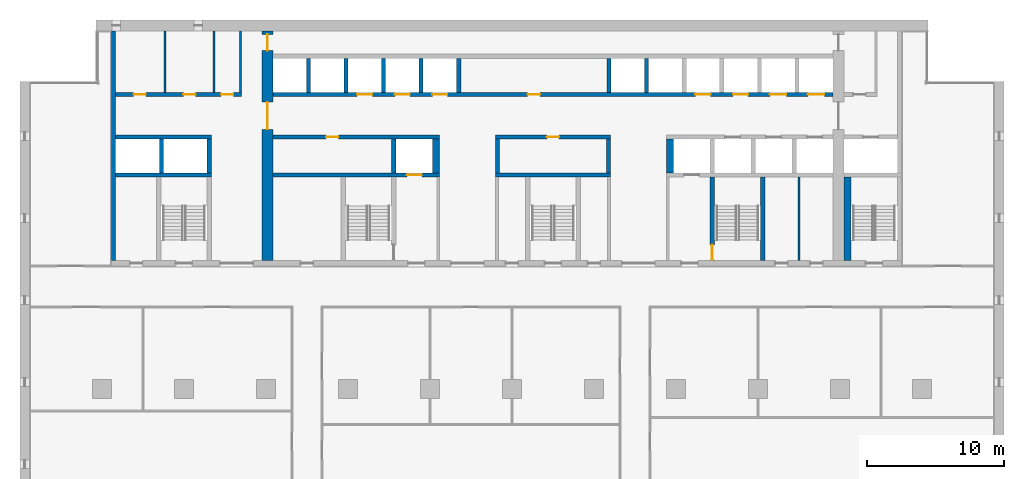
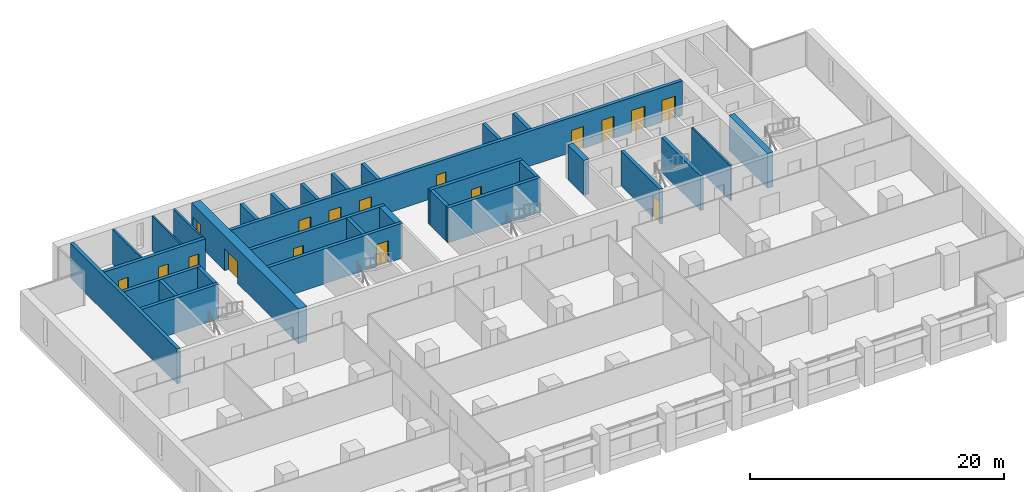
# One storey, part 10 of 17: 31 walls, 17 doors, 17 openings.
"""IFC4 building model written with IfcOpenShell, lengths in metres."""

from ifc_helpers import new_model, si_unit, direction, frame, frame_2d, origin, place, context, subcontext, project, spatial, rectangle, extrude, material, layer, layer_set, type_object, element, fill, save


model = new_model("IFC4")

# Units and contexts
model_context = context("Model", 3, precision=1e-05, world=origin(), true_north=direction((0.0, 1.0)))
body_context = subcontext(model_context, "Body", "Model", "MODEL_VIEW")
ifc_project = project(units=[si_unit("LENGTHUNIT", "METRE"), si_unit("AREAUNIT", "SQUARE_METRE"), si_unit("VOLUMEUNIT", "CUBIC_METRE"), si_unit("PLANEANGLEUNIT", "RADIAN"), si_unit("MASSUNIT", "GRAM", prefix="KILO")], contexts=[model_context])

# Site, building, storey
site_placement = place(None, origin())
site = spatial("IfcSite", under=ifc_project, at=site_placement, CompositionType="ELEMENT")
building_placement = place(site_placement, origin())
building = spatial("IfcBuilding", under=site, at=building_placement, Name="Calvaro Tower", CompositionType="ELEMENT")
storey_placement = place(building_placement, frame((0.0, 0.0, 102.5)))
storey = spatial("IfcBuildingStorey", under=building, at=storey_placement, Name="L25", CompositionType="ELEMENT", Elevation=102.5)

# Walls
ifc_material_1 = material(Name="Blockwork partition", Category="masonry")
ifc_layer_1 = layer(ifc_material_1, 0.14990234375)
ifc_layer_set_1 = layer_set([ifc_layer_1], Name="Blockwork partition")
wall_type_1 = type_object("IfcWallType", Name="Core partition 150 EI 60", PredefinedType="PARTITIONING", material=ifc_layer_set_1)
wall_1_placement = place(storey_placement, frame((57.0, 28.39990234375, 0.0), z_axis=(0.0, 0.0, 1.0), x_axis=(0.0, 1.0, 0.0)))
element("IfcWall", 1, at=wall_1_placement, inside=storey, type_object=wall_type_1, Name="Core partition", PredefinedType="PARTITIONING", context=body_context, shape_type="SweptSolid", body=[
    extrude(rectangle(XDim=6.10009765625, YDim=0.14990234375, at=frame_2d((3.050048828125, 0.0))), origin(), (0.0, 0.0, 1.0), 3.35009765625),
])
for number, where, z_axis, x_axis, name in (
    (2, (10.60009765625, 40.699951171875, 0.0), (0.0, 0.0, 1.0), (0.0, 1.0, 0.0), "Core partition"),
    (3, (14.199951171875, 40.699951171875, 0.0), (0.0, 0.0, 1.0), (0.0, 1.0, 0.0), "Core partition"),
):
    element("IfcWall", number, at=place(storey_placement, frame(where, z_axis=z_axis, x_axis=x_axis)), inside=storey, type_object=wall_type_1, Name=name, PredefinedType="PARTITIONING", context=body_context, shape_type="SweptSolid", body=[
        extrude(rectangle(XDim=4.5, YDim=0.14990234375, at=frame_2d((2.25, 0.0))), origin(), (0.0, 0.0, 1.0), 3.35009765625),
    ])
ifc_material_2 = material(Name="Blockwork partition", Category="masonry")
ifc_layer_2 = layer(ifc_material_2, 0.14990234375)
ifc_layer_set_2 = layer_set([ifc_layer_2], Name="Blockwork partition")
wall_type_2 = type_object("IfcWallType", Name="Core partition 150 REI 120", PredefinedType="PARTITIONING", material=ifc_layer_set_2)
wall_2_placement = place(storey_placement, frame((16.125, 40.699951171875, 0.0), z_axis=(0.0, 0.0, 1.0), x_axis=(0.0, 1.0, 0.0)))
element("IfcWall", 4, at=wall_2_placement, inside=storey, type_object=wall_type_2, Name="Core partition", PredefinedType="PARTITIONING", context=body_context, shape_type="SweptSolid", body=[
    extrude(rectangle(XDim=4.5, YDim=0.14990234375, at=frame_2d((2.25, 0.0))), origin(), (0.0, 0.0, 1.0), 3.35009765625),
])

# Wall, openings, doors
ifc_material_3 = material(Name="Blockwork partition", Category="masonry")
ifc_layer_3 = layer(ifc_material_3, 0.300048828125)
ifc_layer_set_3 = layer_set([ifc_layer_3], Name="Blockwork partition")
wall_type_3 = type_object("IfcWallType", Name="Core partition 300 REI 120", PredefinedType="PARTITIONING", material=ifc_layer_set_3)
wall_3_placement = place(storey_placement, frame((7.0, 40.550048828125, 0.0), z_axis=(0.0, 0.0, 1.0), x_axis=(1.0, 0.0, 0.0)))
wall_3 = element("IfcWall", 5, at=wall_3_placement, inside=storey, type_object=wall_type_3, Name="Core partition", PredefinedType="PARTITIONING", context=body_context, shape_type="SweptSolid", body=[
    extrude(rectangle(XDim=9.199951171875, YDim=0.300048828125, at=frame_2d((4.60009765625, 0.0))), origin(), (0.0, 0.0, 1.0), 3.35009765625),
])
opening_1_placement = place(wall_3_placement, frame((1.3125, 0.0, 0.0)))
opening_1 = element("IfcOpeningElement", 6, at=opening_1_placement, cuts=wall_3, Name="Opening RD9", PredefinedType="OPENING", context=body_context, shape_type="SweptSolid", body=[
    extrude(rectangle(XDim=0.89990234375, YDim=2.10009765625, at=frame_2d((0.449951171875, 1.050048828125))), frame((0.0, 0.159912109375, 0.0), z_axis=(0.0, -1.0, 0.0), x_axis=(1.0, 0.0, 0.0)), (0.0, 0.0, 1.0), 0.320068359375),
])
opening_2_placement = place(wall_3_placement, frame((4.949951171875, 0.0, 0.0)))
opening_2 = element("IfcOpeningElement", 7, at=opening_2_placement, cuts=wall_3, Name="Opening RD9", PredefinedType="OPENING", context=body_context, shape_type="SweptSolid", body=[
    extrude(rectangle(XDim=0.89990234375, YDim=2.10009765625, at=frame_2d((0.449951171875, 1.050048828125))), frame((0.0, 0.159912109375, 0.0), z_axis=(0.0, -1.0, 0.0), x_axis=(1.0, 0.0, 0.0)), (0.0, 0.0, 1.0), 0.320068359375),
])
opening_3_placement = place(wall_3_placement, frame((7.71240234375, 0.0, 0.0)))
opening_3 = element("IfcOpeningElement", 8, at=opening_3_placement, cuts=wall_3, Name="Opening RD9", PredefinedType="OPENING", context=body_context, shape_type="SweptSolid", body=[
    extrude(rectangle(XDim=0.89990234375, YDim=2.10009765625, at=frame_2d((0.449951171875, 1.050048828125))), frame((0.0, 0.159912109375, 0.0), z_axis=(0.0, -1.0, 0.0), x_axis=(1.0, 0.0, 0.0)), (0.0, 0.0, 1.0), 0.320068359375),
])
ifc_material_4 = material(Name="Steel door set", Category="steel")
door_type_1 = type_object("IfcDoorType", Name="Room door 900", OperationType="SINGLE_SWING_LEFT", PredefinedType="DOOR", material=ifc_material_4)
door_1_placement = place(opening_1_placement, origin())
door_1 = element("IfcDoor", 9, at=door_1_placement, inside=storey, type_object=door_type_1, Name="Room door", OperationType="SINGLE_SWING_LEFT", OverallHeight=2.10009765625, OverallWidth=0.89990234375, PredefinedType="DOOR", context=body_context, shape_type="SweptSolid", body=[
    extrude(rectangle(XDim=0.89990234375, YDim=2.10009765625, at=frame_2d((0.449951171875, 1.050048828125))), frame((0.0, 0.02490234375, 0.0), z_axis=(0.0, -1.0, 0.0), x_axis=(1.0, 0.0, 0.0)), (0.0, 0.0, 1.0), 0.050048828125),
])
fill(opening_1, door_1)
door_2_placement = place(opening_2_placement, origin())
door_2 = element("IfcDoor", 10, at=door_2_placement, inside=storey, type_object=door_type_1, Name="Room door", OperationType="SINGLE_SWING_LEFT", OverallHeight=2.10009765625, OverallWidth=0.89990234375, PredefinedType="DOOR", context=body_context, shape_type="SweptSolid", body=[
    extrude(rectangle(XDim=0.89990234375, YDim=2.10009765625, at=frame_2d((0.449951171875, 1.050048828125))), frame((0.0, 0.02490234375, 0.0), z_axis=(0.0, -1.0, 0.0), x_axis=(1.0, 0.0, 0.0)), (0.0, 0.0, 1.0), 0.050048828125),
])
fill(opening_2, door_2)
door_3_placement = place(opening_3_placement, origin())
door_3 = element("IfcDoor", 11, at=door_3_placement, inside=storey, type_object=door_type_1, Name="Room door", OperationType="SINGLE_SWING_LEFT", OverallHeight=2.10009765625, OverallWidth=0.89990234375, PredefinedType="DOOR", context=body_context, shape_type="SweptSolid", body=[
    extrude(rectangle(XDim=0.89990234375, YDim=2.10009765625, at=frame_2d((0.449951171875, 1.050048828125))), frame((0.0, 0.02490234375, 0.0), z_axis=(0.0, -1.0, 0.0), x_axis=(1.0, 0.0, 0.0)), (0.0, 0.0, 1.0), 0.050048828125),
])
fill(opening_3, door_3)

# Wall
ifc_material_5 = material(Name="Concrete C60/75", Category="concrete")
ifc_layer_4 = layer(ifc_material_5, 0.300048828125)
ifc_layer_set_4 = layer_set([ifc_layer_4], Name="Concrete C60/75")
wall_type_4 = type_object("IfcWallType", Name="Core wall C60/75 300", PredefinedType="SHEAR", material=ifc_layer_set_4)
wall_4_placement = place(storey_placement, frame((6.85009765625, 28.39990234375, 0.0), z_axis=(0.0, 0.0, 1.0), x_axis=(0.0, 1.0, 0.0)))
element("IfcWall", 12, at=wall_4_placement, inside=storey, type_object=wall_type_4, Name="Core wall, boundary", PredefinedType="SHEAR", context=body_context, shape_type="SweptSolid", body=[
    extrude(rectangle(XDim=16.800048828125, YDim=0.300048828125, at=frame_2d((8.39990234375, 0.0))), origin(), (0.0, 0.0, 1.0), 3.35009765625),
])

# Wall, opening, door
wall_5_placement = place(storey_placement, frame((50.64990234375, 34.5, 0.0), z_axis=(0.0, 0.0, 1.0), x_axis=(0.0, -1.0, 0.0)))
wall_5 = element("IfcWall", 13, at=wall_5_placement, inside=storey, type_object=wall_type_4, Name="Core wall, stair enclosure", PredefinedType="SHEAR", context=body_context, shape_type="SweptSolid", body=[
    extrude(rectangle(XDim=6.10009765625, YDim=0.300048828125, at=frame_2d((3.050048828125, 0.0))), origin(), (0.0, 0.0, 1.0), 3.35009765625),
])
opening_4_placement = place(wall_5_placement, frame((4.949951171875, 0.0, 0.0)))
opening_4 = element("IfcOpeningElement", 14, at=opening_4_placement, cuts=wall_5, Name="Opening FD11D", PredefinedType="OPENING", context=body_context, shape_type="SweptSolid", body=[
    extrude(rectangle(XDim=1.10009765625, YDim=2.10009765625, at=frame_2d((0.550048828125, 1.050048828125))), frame((0.0, 0.159912109375, 0.0), z_axis=(0.0, -1.0, 0.0), x_axis=(1.0, 0.0, 0.0)), (0.0, 0.0, 1.0), 0.320068359375),
])
ifc_material_6 = material(Name="Steel door set", Category="steel")
door_type_2 = type_object("IfcDoorType", Name="Fire door 1100 FD30S", OperationType="SINGLE_SWING_LEFT", PredefinedType="DOOR", material=ifc_material_6)
door_4_placement = place(opening_4_placement, origin())
door_4 = element("IfcDoor", 15, at=door_4_placement, inside=storey, type_object=door_type_2, Name="Fire door", OperationType="SINGLE_SWING_RIGHT", OverallHeight=2.10009765625, OverallWidth=1.10009765625, PredefinedType="DOOR", context=body_context, shape_type="SweptSolid", body=[
    extrude(rectangle(XDim=1.10009765625, YDim=2.10009765625, at=frame_2d((0.550048828125, 1.050048828125))), frame((0.0, 0.02490234375, 0.0), z_axis=(0.0, -1.0, 0.0), x_axis=(1.0, 0.0, 0.0)), (0.0, 0.0, 1.0), 0.050048828125),
])
fill(opening_4, door_4)

# Walls
wall_6_placement = place(storey_placement, frame((54.35009765625, 28.39990234375, 0.0), z_axis=(0.0, 0.0, 1.0), x_axis=(0.0, 1.0, 0.0)))
element("IfcWall", 16, at=wall_6_placement, inside=storey, type_object=wall_type_4, Name="Core wall, stair enclosure", PredefinedType="SHEAR", context=body_context, shape_type="SweptSolid", body=[
    extrude(rectangle(XDim=6.10009765625, YDim=0.300048828125, at=frame_2d((3.050048828125, 0.0))), origin(), (0.0, 0.0, 1.0), 3.35009765625),
])
wall_7_placement = place(storey_placement, frame((7.0, 34.64990234375, 0.0), z_axis=(0.0, 0.0, 1.0), x_axis=(1.0, 0.0, 0.0)))
element("IfcWall", 17, at=wall_7_placement, inside=storey, type_object=wall_type_4, Name="Core wall, lift shaft", PredefinedType="SHEAR", context=body_context, shape_type="SweptSolid", body=[
    extrude(rectangle(XDim=7.0, YDim=0.300048828125, at=frame_2d((3.5, 0.0))), origin(), (0.0, 0.0, 1.0), 3.35009765625),
])

# Wall, opening, door
wall_8_placement = place(storey_placement, frame((18.5, 34.64990234375, 0.0), z_axis=(0.0, 0.0, 1.0), x_axis=(1.0, 0.0, 0.0)))
wall_8 = element("IfcWall", 18, at=wall_8_placement, inside=storey, type_object=wall_type_4, Name="Core wall, lift shaft", PredefinedType="SHEAR", context=body_context, shape_type="SweptSolid", body=[
    extrude(rectangle(XDim=12.199951171875, YDim=0.300048828125, at=frame_2d((6.10009765625, 0.0))), origin(), (0.0, 0.0, 1.0), 3.35009765625),
])
opening_5_placement = place(wall_8_placement, frame((9.800048828125, 0.0, 0.0)))
opening_5 = element("IfcOpeningElement", 19, at=opening_5_placement, cuts=wall_8, Name="Opening FF1", PredefinedType="OPENING", context=body_context, shape_type="SweptSolid", body=[
    extrude(rectangle(XDim=1.10009765625, YDim=2.10009765625, at=frame_2d((0.550048828125, 1.050048828125))), frame((0.0, 0.159912109375, 0.0), z_axis=(0.0, -1.0, 0.0), x_axis=(1.0, 0.0, 0.0)), (0.0, 0.0, 1.0), 0.320068359375),
])
ifc_material_7 = material(Name="Stainless steel", Category="steel")
door_type_3 = type_object("IfcDoorType", Name="Landing door 1100 E 60", OperationType="SLIDING_TO_LEFT", PredefinedType="DOOR", material=ifc_material_7)
door_5_placement = place(opening_5_placement, origin())
door_5 = element("IfcDoor", 20, at=door_5_placement, inside=storey, type_object=door_type_3, Name="Landing door FF1", OperationType="SLIDING_TO_LEFT", OverallHeight=2.10009765625, OverallWidth=1.10009765625, PredefinedType="DOOR", context=body_context, shape_type="SweptSolid", body=[
    extrude(rectangle(XDim=1.10009765625, YDim=2.10009765625, at=frame_2d((0.550048828125, 1.050048828125))), frame((0.0, 0.02490234375, 0.0), z_axis=(0.0, -1.0, 0.0), x_axis=(1.0, 0.0, 0.0)), (0.0, 0.0, 1.0), 0.050048828125),
])
fill(opening_5, door_5)

# Walls
wall_9_placement = place(storey_placement, frame((34.800048828125, 34.64990234375, 0.0), z_axis=(0.0, 0.0, 1.0), x_axis=(1.0, 0.0, 0.0)))
element("IfcWall", 21, at=wall_9_placement, inside=storey, type_object=wall_type_4, Name="Core wall, lift shaft", PredefinedType="SHEAR", context=body_context, shape_type="SweptSolid", body=[
    extrude(rectangle(XDim=8.39990234375, YDim=0.300048828125, at=frame_2d((4.199951171875, 0.0))), origin(), (0.0, 0.0, 1.0), 3.35009765625),
])
wall_10_placement = place(storey_placement, frame((7.0, 37.449951171875, 0.0), z_axis=(0.0, 0.0, 1.0), x_axis=(1.0, 0.0, 0.0)))
element("IfcWall", 22, at=wall_10_placement, inside=storey, type_object=wall_type_4, Name="Core wall, lift shaft", PredefinedType="SHEAR", context=body_context, shape_type="SweptSolid", body=[
    extrude(rectangle(XDim=7.0, YDim=0.300048828125, at=frame_2d((3.5, 0.0))), origin(), (0.0, 0.0, 1.0), 3.35009765625),
])

# Wall, opening, door
wall_11_placement = place(storey_placement, frame((30.699951171875, 37.449951171875, 0.0), z_axis=(0.0, 0.0, 1.0), x_axis=(-1.0, 0.0, 0.0)))
wall_11 = element("IfcWall", 23, at=wall_11_placement, inside=storey, type_object=wall_type_4, Name="Core wall, bay", PredefinedType="SHEAR", context=body_context, shape_type="SweptSolid", body=[
    extrude(rectangle(XDim=12.199951171875, YDim=0.300048828125, at=frame_2d((6.10009765625, 0.0))), origin(), (0.0, 0.0, 1.0), 3.35009765625),
])
opening_6_placement = place(wall_11_placement, frame((7.39990234375, 0.0, 0.0)))
opening_6 = element("IfcOpeningElement", 24, at=opening_6_placement, cuts=wall_11, Name="Opening RD9E", PredefinedType="OPENING", context=body_context, shape_type="SweptSolid", body=[
    extrude(rectangle(XDim=0.89990234375, YDim=2.10009765625, at=frame_2d((0.449951171875, 1.050048828125))), frame((0.0, 0.159912109375, 0.0), z_axis=(0.0, -1.0, 0.0), x_axis=(1.0, 0.0, 0.0)), (0.0, 0.0, 1.0), 0.320068359375),
])
ifc_material_8 = material(Name="Steel door set", Category="steel")
door_type_4 = type_object("IfcDoorType", Name="Room door 900 FD60", OperationType="SINGLE_SWING_LEFT", PredefinedType="DOOR", material=ifc_material_8)
door_6_placement = place(opening_6_placement, origin())
door_6 = element("IfcDoor", 25, at=door_6_placement, inside=storey, type_object=door_type_4, Name="Room door", OperationType="SINGLE_SWING_LEFT", OverallHeight=2.10009765625, OverallWidth=0.89990234375, PredefinedType="DOOR", context=body_context, shape_type="SweptSolid", body=[
    extrude(rectangle(XDim=0.89990234375, YDim=2.10009765625, at=frame_2d((0.449951171875, 1.050048828125))), frame((0.0, 0.02490234375, 0.0), z_axis=(0.0, -1.0, 0.0), x_axis=(1.0, 0.0, 0.0)), (0.0, 0.0, 1.0), 0.050048828125),
])
fill(opening_6, door_6)

wall_12_placement = place(storey_placement, frame((43.199951171875, 37.449951171875, 0.0), z_axis=(0.0, 0.0, 1.0), x_axis=(-1.0, 0.0, 0.0)))
wall_12 = element("IfcWall", 26, at=wall_12_placement, inside=storey, type_object=wall_type_4, Name="Core wall, bay", PredefinedType="SHEAR", context=body_context, shape_type="SweptSolid", body=[
    extrude(rectangle(XDim=8.39990234375, YDim=0.300048828125, at=frame_2d((4.199951171875, 0.0))), origin(), (0.0, 0.0, 1.0), 3.35009765625),
])
opening_7_placement = place(wall_12_placement, frame((3.75, 0.0, 0.0)))
opening_7 = element("IfcOpeningElement", 27, at=opening_7_placement, cuts=wall_12, Name="Opening RD9E", PredefinedType="OPENING", context=body_context, shape_type="SweptSolid", body=[
    extrude(rectangle(XDim=0.89990234375, YDim=2.10009765625, at=frame_2d((0.449951171875, 1.050048828125))), frame((0.0, 0.159912109375, 0.0), z_axis=(0.0, -1.0, 0.0), x_axis=(1.0, 0.0, 0.0)), (0.0, 0.0, 1.0), 0.320068359375),
])
door_7_placement = place(opening_7_placement, origin())
door_7 = element("IfcDoor", 28, at=door_7_placement, inside=storey, type_object=door_type_4, Name="Room door", OperationType="SINGLE_SWING_RIGHT", OverallHeight=2.10009765625, OverallWidth=0.89990234375, PredefinedType="DOOR", context=body_context, shape_type="SweptSolid", body=[
    extrude(rectangle(XDim=0.89990234375, YDim=2.10009765625, at=frame_2d((0.449951171875, 1.050048828125))), frame((0.0, 0.02490234375, 0.0), z_axis=(0.0, -1.0, 0.0), x_axis=(1.0, 0.0, 0.0)), (0.0, 0.0, 1.0), 0.050048828125),
])
fill(opening_7, door_7)

# Walls
for number, where, z_axis, x_axis, name in (
    (29, (27.35009765625, 34.800048828125, 0.0), (0.0, 0.0, 1.0), (0.0, 1.0, 0.0), "Core wall, lift shaft"),
    (30, (34.949951171875, 34.800048828125, 0.0), (0.0, 0.0, 1.0), (0.0, 1.0, 0.0), "Core wall, lift shaft"),
    (31, (43.050048828125, 34.800048828125, 0.0), (0.0, 0.0, 1.0), (0.0, 1.0, 0.0), "Core wall, lift shaft"),
    (32, (13.85009765625, 34.800048828125, 0.0), (0.0, 0.0, 1.0), (0.0, 1.0, 0.0), "Core wall, lift shaft"),
):
    element("IfcWall", number, at=place(storey_placement, frame(where, z_axis=z_axis, x_axis=x_axis)), inside=storey, type_object=wall_type_4, Name=name, PredefinedType="SHEAR", context=body_context, shape_type="SweptSolid", body=[
        extrude(rectangle(XDim=2.5, YDim=0.300048828125, at=frame_2d((1.25, 0.0))), origin(), (0.0, 0.0, 1.0), 3.35009765625),
    ])

# Wall, openings, doors
wall_13_placement = place(storey_placement, frame((18.5, 40.550048828125, 0.0), z_axis=(0.0, 0.0, 1.0), x_axis=(1.0, 0.0, 0.0)))
wall_13 = element("IfcWall", 33, at=wall_13_placement, inside=storey, type_object=wall_type_4, Name="Core wall, bay", PredefinedType="SHEAR", context=body_context, shape_type="SweptSolid", body=[
    extrude(rectangle(XDim=41.0, YDim=0.300048828125, at=frame_2d((20.5, 0.0))), origin(), (0.0, 0.0, 1.0), 3.35009765625),
])
opening_8_placement = place(wall_13_placement, frame((18.64990234375, 0.0, 0.0)))
opening_8 = element("IfcOpeningElement", 34, at=opening_8_placement, cuts=wall_13, Name="Opening RD9E", PredefinedType="OPENING", context=body_context, shape_type="SweptSolid", body=[
    extrude(rectangle(XDim=0.89990234375, YDim=2.10009765625, at=frame_2d((0.449951171875, 1.050048828125))), frame((0.0, 0.159912109375, 0.0), z_axis=(0.0, -1.0, 0.0), x_axis=(1.0, 0.0, 0.0)), (0.0, 0.0, 1.0), 0.320068359375),
])
opening_9_placement = place(wall_13_placement, frame((6.175048828125, 0.0, 0.0)))
opening_9 = element("IfcOpeningElement", 35, at=opening_9_placement, cuts=wall_13, Name="Opening MR4", PredefinedType="OPENING", context=body_context, shape_type="SweptSolid", body=[
    extrude(rectangle(XDim=1.10009765625, YDim=2.10009765625, at=frame_2d((0.550048828125, 1.050048828125))), frame((0.0, 0.159912109375, 0.0), z_axis=(0.0, -1.0, 0.0), x_axis=(1.0, 0.0, 0.0)), (0.0, 0.0, 1.0), 0.320068359375),
])
opening_10_placement = place(wall_13_placement, frame((8.925048828125, 0.0, 0.0)))
opening_10 = element("IfcOpeningElement", 36, at=opening_10_placement, cuts=wall_13, Name="Opening MR5", PredefinedType="OPENING", context=body_context, shape_type="SweptSolid", body=[
    extrude(rectangle(XDim=1.10009765625, YDim=2.10009765625, at=frame_2d((0.550048828125, 1.050048828125))), frame((0.0, 0.159912109375, 0.0), z_axis=(0.0, -1.0, 0.0), x_axis=(1.0, 0.0, 0.0)), (0.0, 0.0, 1.0), 0.320068359375),
])
opening_11_placement = place(wall_13_placement, frame((11.675048828125, 0.0, 0.0)))
opening_11 = element("IfcOpeningElement", 37, at=opening_11_placement, cuts=wall_13, Name="Opening MR6", PredefinedType="OPENING", context=body_context, shape_type="SweptSolid", body=[
    extrude(rectangle(XDim=1.10009765625, YDim=2.10009765625, at=frame_2d((0.550048828125, 1.050048828125))), frame((0.0, 0.159912109375, 0.0), z_axis=(0.0, -1.0, 0.0), x_axis=(1.0, 0.0, 0.0)), (0.0, 0.0, 1.0), 0.320068359375),
])
opening_12_placement = place(wall_13_placement, frame((30.925048828125, 0.0, 0.0)))
opening_12 = element("IfcOpeningElement", 38, at=opening_12_placement, cuts=wall_13, Name="Opening MR7", PredefinedType="OPENING", context=body_context, shape_type="SweptSolid", body=[
    extrude(rectangle(XDim=1.10009765625, YDim=2.10009765625, at=frame_2d((0.550048828125, 1.050048828125))), frame((0.0, 0.159912109375, 0.0), z_axis=(0.0, -1.0, 0.0), x_axis=(1.0, 0.0, 0.0)), (0.0, 0.0, 1.0), 0.320068359375),
])
opening_13_placement = place(wall_13_placement, frame((33.675048828125, 0.0, 0.0)))
opening_13 = element("IfcOpeningElement", 39, at=opening_13_placement, cuts=wall_13, Name="Opening MR8", PredefinedType="OPENING", context=body_context, shape_type="SweptSolid", body=[
    extrude(rectangle(XDim=1.10009765625, YDim=2.10009765625, at=frame_2d((0.550048828125, 1.050048828125))), frame((0.0, 0.159912109375, 0.0), z_axis=(0.0, -1.0, 0.0), x_axis=(1.0, 0.0, 0.0)), (0.0, 0.0, 1.0), 0.320068359375),
])
opening_14_placement = place(wall_13_placement, frame((36.375, 0.0, 0.0)))
opening_14 = element("IfcOpeningElement", 40, at=opening_14_placement, cuts=wall_13, Name="Opening SV1", PredefinedType="OPENING", context=body_context, shape_type="SweptSolid", body=[
    extrude(rectangle(XDim=1.199951171875, YDim=2.10009765625, at=frame_2d((0.60009765625, 1.050048828125))), frame((0.0, 0.159912109375, 0.0), z_axis=(0.0, -1.0, 0.0), x_axis=(1.0, 0.0, 0.0)), (0.0, 0.0, 1.0), 0.320068359375),
])
opening_15_placement = place(wall_13_placement, frame((39.14990234375, 0.0, 0.0)))
opening_15 = element("IfcOpeningElement", 41, at=opening_15_placement, cuts=wall_13, Name="Opening SV2", PredefinedType="OPENING", context=body_context, shape_type="SweptSolid", body=[
    extrude(rectangle(XDim=1.199951171875, YDim=2.10009765625, at=frame_2d((0.60009765625, 1.050048828125))), frame((0.0, 0.159912109375, 0.0), z_axis=(0.0, -1.0, 0.0), x_axis=(1.0, 0.0, 0.0)), (0.0, 0.0, 1.0), 0.320068359375),
])
door_8_placement = place(opening_9_placement, origin())
door_8 = element("IfcDoor", 42, at=door_8_placement, inside=storey, type_object=door_type_3, Name="Landing door MR4", OperationType="SLIDING_TO_LEFT", OverallHeight=2.10009765625, OverallWidth=1.10009765625, PredefinedType="DOOR", context=body_context, shape_type="SweptSolid", body=[
    extrude(rectangle(XDim=1.10009765625, YDim=2.10009765625, at=frame_2d((0.550048828125, 1.050048828125))), frame((0.0, 0.02490234375, 0.0), z_axis=(0.0, -1.0, 0.0), x_axis=(1.0, 0.0, 0.0)), (0.0, 0.0, 1.0), 0.050048828125),
])
fill(opening_9, door_8)
door_9_placement = place(opening_10_placement, origin())
door_9 = element("IfcDoor", 43, at=door_9_placement, inside=storey, type_object=door_type_3, Name="Landing door MR5", OperationType="SLIDING_TO_LEFT", OverallHeight=2.10009765625, OverallWidth=1.10009765625, PredefinedType="DOOR", context=body_context, shape_type="SweptSolid", body=[
    extrude(rectangle(XDim=1.10009765625, YDim=2.10009765625, at=frame_2d((0.550048828125, 1.050048828125))), frame((0.0, 0.02490234375, 0.0), z_axis=(0.0, -1.0, 0.0), x_axis=(1.0, 0.0, 0.0)), (0.0, 0.0, 1.0), 0.050048828125),
])
fill(opening_10, door_9)
door_10_placement = place(opening_11_placement, origin())
door_10 = element("IfcDoor", 44, at=door_10_placement, inside=storey, type_object=door_type_3, Name="Landing door MR6", OperationType="SLIDING_TO_LEFT", OverallHeight=2.10009765625, OverallWidth=1.10009765625, PredefinedType="DOOR", context=body_context, shape_type="SweptSolid", body=[
    extrude(rectangle(XDim=1.10009765625, YDim=2.10009765625, at=frame_2d((0.550048828125, 1.050048828125))), frame((0.0, 0.02490234375, 0.0), z_axis=(0.0, -1.0, 0.0), x_axis=(1.0, 0.0, 0.0)), (0.0, 0.0, 1.0), 0.050048828125),
])
fill(opening_11, door_10)
door_11_placement = place(opening_12_placement, origin())
door_11 = element("IfcDoor", 45, at=door_11_placement, inside=storey, type_object=door_type_3, Name="Landing door MR7", OperationType="SLIDING_TO_LEFT", OverallHeight=2.10009765625, OverallWidth=1.10009765625, PredefinedType="DOOR", context=body_context, shape_type="SweptSolid", body=[
    extrude(rectangle(XDim=1.10009765625, YDim=2.10009765625, at=frame_2d((0.550048828125, 1.050048828125))), frame((0.0, 0.02490234375, 0.0), z_axis=(0.0, -1.0, 0.0), x_axis=(1.0, 0.0, 0.0)), (0.0, 0.0, 1.0), 0.050048828125),
])
fill(opening_12, door_11)
door_12_placement = place(opening_13_placement, origin())
door_12 = element("IfcDoor", 46, at=door_12_placement, inside=storey, type_object=door_type_3, Name="Landing door MR8", OperationType="SLIDING_TO_LEFT", OverallHeight=2.10009765625, OverallWidth=1.10009765625, PredefinedType="DOOR", context=body_context, shape_type="SweptSolid", body=[
    extrude(rectangle(XDim=1.10009765625, YDim=2.10009765625, at=frame_2d((0.550048828125, 1.050048828125))), frame((0.0, 0.02490234375, 0.0), z_axis=(0.0, -1.0, 0.0), x_axis=(1.0, 0.0, 0.0)), (0.0, 0.0, 1.0), 0.050048828125),
])
fill(opening_13, door_12)
ifc_material_9 = material(Name="Stainless steel", Category="steel")
door_type_5 = type_object("IfcDoorType", Name="Landing door 1200 E 60", OperationType="SLIDING_TO_LEFT", PredefinedType="DOOR", material=ifc_material_9)
door_13_placement = place(opening_14_placement, origin())
door_13 = element("IfcDoor", 47, at=door_13_placement, inside=storey, type_object=door_type_5, Name="Landing door SV1", OperationType="SLIDING_TO_LEFT", OverallHeight=2.10009765625, OverallWidth=1.199951171875, PredefinedType="DOOR", context=body_context, shape_type="SweptSolid", body=[
    extrude(rectangle(XDim=1.199951171875, YDim=2.10009765625, at=frame_2d((0.60009765625, 1.050048828125))), frame((0.0, 0.02490234375, 0.0), z_axis=(0.0, -1.0, 0.0), x_axis=(1.0, 0.0, 0.0)), (0.0, 0.0, 1.0), 0.050048828125),
])
fill(opening_14, door_13)
door_14_placement = place(opening_15_placement, origin())
door_14 = element("IfcDoor", 48, at=door_14_placement, inside=storey, type_object=door_type_5, Name="Landing door SV2", OperationType="SLIDING_TO_LEFT", OverallHeight=2.10009765625, OverallWidth=1.199951171875, PredefinedType="DOOR", context=body_context, shape_type="SweptSolid", body=[
    extrude(rectangle(XDim=1.199951171875, YDim=2.10009765625, at=frame_2d((0.60009765625, 1.050048828125))), frame((0.0, 0.02490234375, 0.0), z_axis=(0.0, -1.0, 0.0), x_axis=(1.0, 0.0, 0.0)), (0.0, 0.0, 1.0), 0.050048828125),
])
fill(opening_15, door_14)
door_15_placement = place(opening_8_placement, origin())
door_15 = element("IfcDoor", 49, at=door_15_placement, inside=storey, type_object=door_type_4, Name="Room door", OperationType="SINGLE_SWING_LEFT", OverallHeight=2.10009765625, OverallWidth=0.89990234375, PredefinedType="DOOR", context=body_context, shape_type="SweptSolid", body=[
    extrude(rectangle(XDim=0.89990234375, YDim=2.10009765625, at=frame_2d((0.449951171875, 1.050048828125))), frame((0.0, 0.02490234375, 0.0), z_axis=(0.0, -1.0, 0.0), x_axis=(1.0, 0.0, 0.0)), (0.0, 0.0, 1.0), 0.050048828125),
])
fill(opening_8, door_15)

# Walls
for number, where, z_axis, x_axis, name in (
    (50, (21.10009765625, 40.699951171875, 0.0), (0.0, 0.0, 1.0), (0.0, 1.0, 0.0), "Core wall, lift shaft"),
    (51, (23.85009765625, 40.699951171875, 0.0), (0.0, 0.0, 1.0), (0.0, 1.0, 0.0), "Core wall, lift shaft"),
    (52, (26.60009765625, 40.699951171875, 0.0), (0.0, 0.0, 1.0), (0.0, 1.0, 0.0), "Core wall, lift shaft"),
    (53, (29.35009765625, 40.699951171875, 0.0), (0.0, 0.0, 1.0), (0.0, 1.0, 0.0), "Core wall, lift shaft"),
    (54, (32.10009765625, 40.699951171875, 0.0), (0.0, 0.0, 1.0), (0.0, 1.0, 0.0), "Core wall, lift shaft"),
    (55, (43.10009765625, 40.699951171875, 0.0), (0.0, 0.0, 1.0), (0.0, 1.0, 0.0), "Core wall, lift shaft"),
    (56, (45.85009765625, 40.699951171875, 0.0), (0.0, 0.0, 1.0), (0.0, 1.0, 0.0), "Core wall, lift shaft"),
    (57, (10.35009765625, 34.800048828125, 0.0), (0.0, 0.0, 1.0), (0.0, 1.0, 0.0), "Core wall, lift shaft"),
):
    element("IfcWall", number, at=place(storey_placement, frame(where, z_axis=z_axis, x_axis=x_axis)), inside=storey, type_object=wall_type_4, Name=name, PredefinedType="SHEAR", context=body_context, shape_type="SweptSolid", body=[
        extrude(rectangle(XDim=2.5, YDim=0.300048828125, at=frame_2d((1.25, 0.0))), origin(), (0.0, 0.0, 1.0), 3.35009765625),
    ])
ifc_material_10 = material(Name="Concrete C60/75", Category="concrete")
ifc_layer_5 = layer(ifc_material_10, 0.5)
ifc_layer_set_5 = layer_set([ifc_layer_5], Name="Concrete C60/75")
wall_type_5 = type_object("IfcWallType", Name="Core wall C60/75 500", PredefinedType="SHEAR", material=ifc_layer_set_5)
wall_14_placement = place(storey_placement, frame((60.550048828125, 28.39990234375, 0.0), z_axis=(0.0, 0.0, 1.0), x_axis=(0.0, 1.0, 0.0)))
element("IfcWall", 58, at=wall_14_placement, inside=storey, type_object=wall_type_5, Name="Core wall, stair enclosure", PredefinedType="SHEAR", context=body_context, shape_type="SweptSolid", body=[
    extrude(rectangle(XDim=6.10009765625, YDim=0.5, at=frame_2d((3.050048828125, 0.0))), origin(), (0.0, 0.0, 1.0), 3.35009765625),
])
for number, where, z_axis, x_axis, name in (
    (59, (30.449951171875, 34.800048828125, 0.0), (0.0, 0.0, 1.0), (0.0, 1.0, 0.0), "Core wall, lift shaft"),
    (60, (47.550048828125, 34.800048828125, 0.0), (0.0, 0.0, 1.0), (0.0, 1.0, 0.0), "Core wall, lift shaft"),
):
    element("IfcWall", number, at=place(storey_placement, frame(where, z_axis=z_axis, x_axis=x_axis)), inside=storey, type_object=wall_type_5, Name=name, PredefinedType="SHEAR", context=body_context, shape_type="SweptSolid", body=[
        extrude(rectangle(XDim=2.5, YDim=0.5, at=frame_2d((1.25, 0.0))), origin(), (0.0, 0.0, 1.0), 3.35009765625),
    ])

# Wall, openings, doors
ifc_material_11 = material(Name="Concrete C60/75", Category="concrete")
ifc_layer_6 = layer(ifc_material_11, 0.800048828125)
ifc_layer_set_6 = layer_set([ifc_layer_6], Name="Concrete C60/75")
wall_type_6 = type_object("IfcWallType", Name="Core wall C60/75 800", PredefinedType="SHEAR", material=ifc_layer_set_6)
wall_15_placement = place(storey_placement, frame((18.10009765625, 28.39990234375, 0.0), z_axis=(0.0, 0.0, 1.0), x_axis=(0.0, 1.0, 0.0)))
wall_15 = element("IfcWall", 61, at=wall_15_placement, inside=storey, type_object=wall_type_6, Name="Core wall, cross shear wall", PredefinedType="SHEAR", context=body_context, shape_type="SweptSolid", body=[
    extrude(rectangle(XDim=16.800048828125, YDim=0.800048828125, at=frame_2d((8.39990234375, 0.0))), origin(), (0.0, 0.0, 1.0), 3.35009765625),
])
opening_16_placement = place(wall_15_placement, frame((9.60009765625, 0.0, 0.0)))
opening_16 = element("IfcOpeningElement", 62, at=opening_16_placement, cuts=wall_15, Name="Opening DD20D", PredefinedType="OPENING", context=body_context, shape_type="SweptSolid", body=[
    extrude(rectangle(XDim=2.0, YDim=2.10009765625, at=frame_2d((1.0, 1.050048828125))), frame((0.0, 0.409912109375, 0.0), z_axis=(0.0, -1.0, 0.0), x_axis=(1.0, 0.0, 0.0)), (0.0, 0.0, 1.0), 0.820068359375),
])
opening_17_placement = place(wall_15_placement, frame((15.35009765625, 0.0, 0.0)))
opening_17 = element("IfcOpeningElement", 63, at=opening_17_placement, cuts=wall_15, Name="Opening FD12C", PredefinedType="OPENING", context=body_context, shape_type="SweptSolid", body=[
    extrude(rectangle(XDim=1.199951171875, YDim=2.10009765625, at=frame_2d((0.60009765625, 1.050048828125))), frame((0.0, 0.409912109375, 0.0), z_axis=(0.0, -1.0, 0.0), x_axis=(1.0, 0.0, 0.0)), (0.0, 0.0, 1.0), 0.820068359375),
])
ifc_material_12 = material(Name="Steel door set", Category="steel")
door_type_6 = type_object("IfcDoorType", Name="Fire door 1200 FD30", OperationType="SINGLE_SWING_LEFT", PredefinedType="DOOR", material=ifc_material_12)
door_16_placement = place(opening_17_placement, origin())
door_16 = element("IfcDoor", 64, at=door_16_placement, inside=storey, type_object=door_type_6, Name="Fire door", OperationType="SINGLE_SWING_LEFT", OverallHeight=2.10009765625, OverallWidth=1.199951171875, PredefinedType="DOOR", context=body_context, shape_type="SweptSolid", body=[
    extrude(rectangle(XDim=1.199951171875, YDim=2.10009765625, at=frame_2d((0.60009765625, 1.050048828125))), frame((0.0, 0.02490234375, 0.0), z_axis=(0.0, -1.0, 0.0), x_axis=(1.0, 0.0, 0.0)), (0.0, 0.0, 1.0), 0.050048828125),
])
fill(opening_17, door_16)
ifc_material_13 = material(Name="Steel door set", Category="steel")
door_type_7 = type_object("IfcDoorType", Name="Lobby double door 2000 FD30S", OperationType="DOUBLE_DOOR_SINGLE_SWING", PredefinedType="DOOR", material=ifc_material_13)
door_17_placement = place(opening_16_placement, origin())
door_17 = element("IfcDoor", 65, at=door_17_placement, inside=storey, type_object=door_type_7, Name="Lobby double door", OperationType="DOUBLE_DOOR_SINGLE_SWING", OverallHeight=2.10009765625, OverallWidth=2.0, PredefinedType="DOOR", context=body_context, shape_type="SweptSolid", body=[
    extrude(rectangle(XDim=2.0, YDim=2.10009765625, at=frame_2d((1.0, 1.050048828125))), frame((0.0, 0.02490234375, 0.0), z_axis=(0.0, -1.0, 0.0), x_axis=(1.0, 0.0, 0.0)), (0.0, 0.0, 1.0), 0.050048828125),
])
fill(opening_16, door_17)

save(model, "model.ifc")
